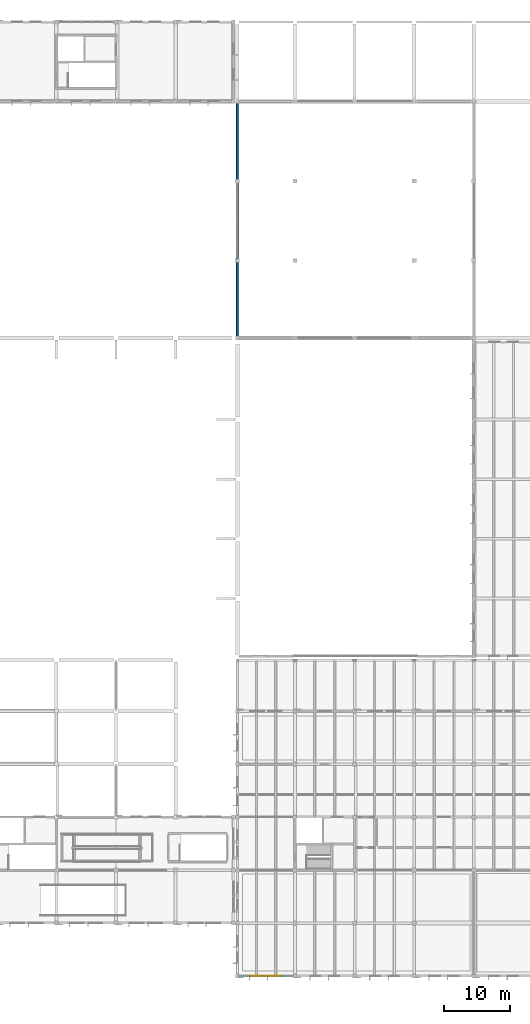
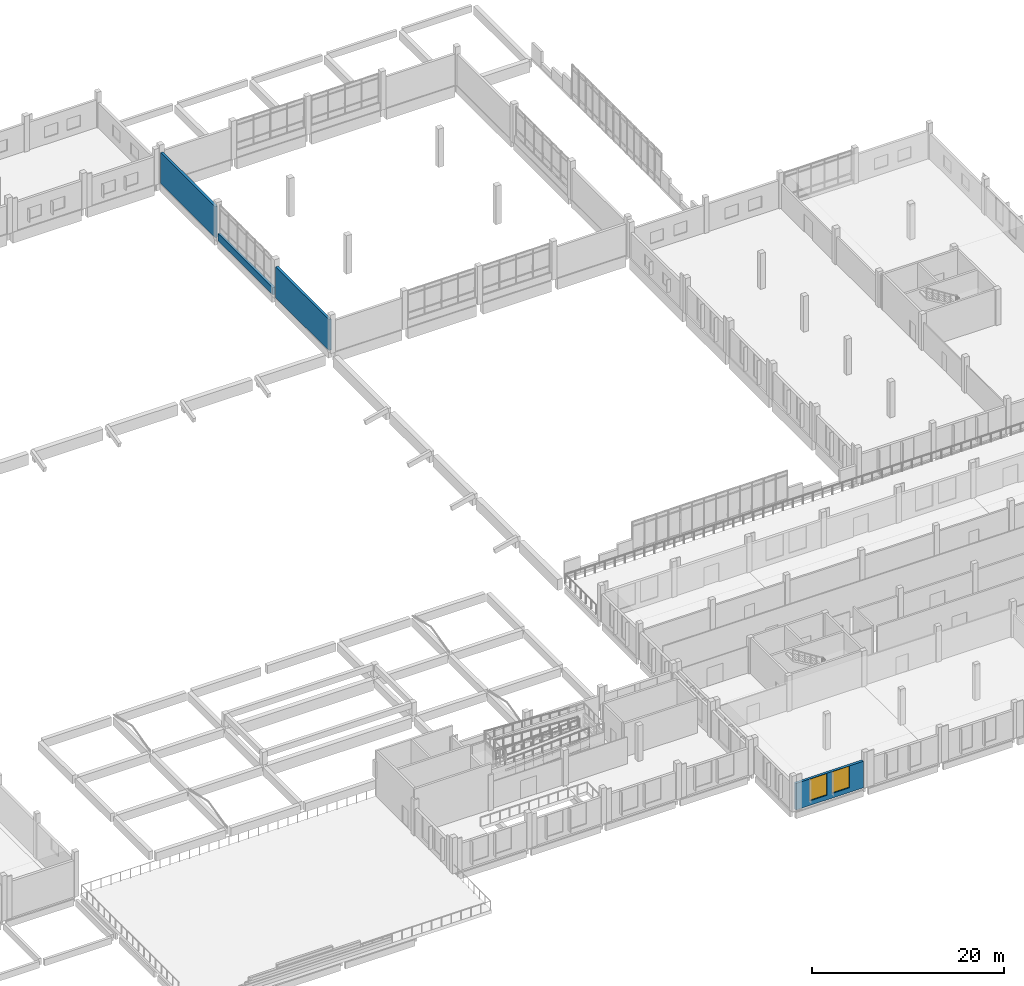
# One storey, part 39 of 63: 4 walls, 2 windows, 2 openings.
"""IFC4 building model written with IfcOpenShell, lengths in metres."""

from ifc_helpers import new_model, si_unit, direction, frame, frame_2d, origin, place, context, subcontext, project, spatial, rectangle, extrude, material, layer, layer_set, type_object, element, fill, save


model = new_model("IFC4")

# Units and contexts
model_context = context("Model", 3, precision=1e-05, world=origin(), true_north=direction((0.0, 1.0)))
body_context = subcontext(model_context, "Body", "Model", "MODEL_VIEW")
ifc_project = project(units=[si_unit("LENGTHUNIT", "METRE"), si_unit("AREAUNIT", "SQUARE_METRE"), si_unit("VOLUMEUNIT", "CUBIC_METRE"), si_unit("PLANEANGLEUNIT", "RADIAN"), si_unit("MASSUNIT", "GRAM", prefix="KILO")], contexts=[model_context])

# Site, building, storey
site_placement = place(None, origin())
site = spatial("IfcSite", under=ifc_project, at=site_placement, CompositionType="ELEMENT")
building_placement = place(site_placement, origin())
building = spatial("IfcBuilding", under=site, at=building_placement, Name="Zacnel Wholesale Market", CompositionType="ELEMENT")
storey_placement = place(building_placement, frame((0.0, 0.0, 11.199951171875)))
storey = spatial("IfcBuildingStorey", under=building, at=storey_placement, Name="L03", CompositionType="ELEMENT", Elevation=11.199951171875)

# Wall, openings, windows
ifc_material_1 = material(Name="Precast concrete C40/50 (Cancun limestone aggregate)", Category="masonry")
ifc_layer = layer(ifc_material_1, 0.300048828125)
ifc_layer_set = layer_set([ifc_layer], Name="Precast concrete C40/50 (Cancun limestone aggregate)")
wall_type = type_object("IfcWallType", Name="WL-EXT-LIME-300", PredefinedType="SOLIDWALL", material=ifc_layer_set)
wall_1_placement = place(storey_placement, frame((144.574951171875, 0.0, 0.0), z_axis=(0.0, 0.0, 1.0), x_axis=(1.0, 0.0, 0.0)))
wall_1 = element("IfcWall", 1, at=wall_1_placement, inside=storey, type_object=wall_type, Name="Exterior wall L03-0377", PredefinedType="SOLIDWALL", context=body_context, shape_type="SweptSolid", body=[
    extrude(rectangle(XDim=8.125, YDim=0.300048828125, at=frame_2d((4.0625, 0.0))), origin(), (0.0, 0.0, 1.0), 3.380126953125),
])
opening_1_placement = place(wall_1_placement, frame((1.657958984375, 0.0, 0.590087890625)))
opening_1 = element("IfcOpeningElement", 2, at=opening_1_placement, cuts=wall_1, Name="Opening W-05", PredefinedType="OPENING", context=body_context, shape_type="SweptSolid", body=[
    extrude(rectangle(XDim=2.10009765625, YDim=2.75, at=frame_2d((1.050048828125, 1.375))), frame((0.0, 0.159912109375, 0.0), z_axis=(0.0, -1.0, 0.0), x_axis=(1.0, 0.0, 0.0)), (0.0, 0.0, 1.0), 0.320068359375),
])
opening_2_placement = place(wall_1_placement, frame((4.366943359375, 0.0, 0.590087890625)))
opening_2 = element("IfcOpeningElement", 3, at=opening_2_placement, cuts=wall_1, Name="Opening W-05", PredefinedType="OPENING", context=body_context, shape_type="SweptSolid", body=[
    extrude(rectangle(XDim=2.10009765625, YDim=2.75, at=frame_2d((1.050048828125, 1.375))), frame((0.0, 0.159912109375, 0.0), z_axis=(0.0, -1.0, 0.0), x_axis=(1.0, 0.0, 0.0)), (0.0, 0.0, 1.0), 0.320068359375),
])
ifc_material_2 = material(Name="Laminated hurricane-impact low-E insulated glass", Category="glass")
window_type = type_object("IfcWindowType", Name="WIN-LAB-2100X2750", PartitioningType="DOUBLE_PANEL_VERTICAL", PredefinedType="WINDOW", material=ifc_material_2)
window_1_placement = place(opening_1_placement, origin())
window_1 = element("IfcWindow", 4, at=window_1_placement, inside=storey, type_object=window_type, Name="Window L03-0385", OverallHeight=2.75, OverallWidth=2.10009765625, PartitioningType="DOUBLE_PANEL_VERTICAL", PredefinedType="WINDOW", context=body_context, shape_type="SweptSolid", body=[
    extrude(rectangle(XDim=2.10009765625, YDim=2.75, at=frame_2d((1.050048828125, 1.375))), frame((0.0, 0.030029296875, 0.0), z_axis=(0.0, -1.0, 0.0), x_axis=(1.0, 0.0, 0.0)), (0.0, 0.0, 1.0), 0.06005859375),
])
fill(opening_1, window_1)
window_2_placement = place(opening_2_placement, origin())
window_2 = element("IfcWindow", 5, at=window_2_placement, inside=storey, type_object=window_type, Name="Window L03-0386", OverallHeight=2.75, OverallWidth=2.10009765625, PartitioningType="DOUBLE_PANEL_VERTICAL", PredefinedType="WINDOW", context=body_context, shape_type="SweptSolid", body=[
    extrude(rectangle(XDim=2.10009765625, YDim=2.75, at=frame_2d((1.050048828125, 1.375))), frame((0.0, 0.030029296875, 0.0), z_axis=(0.0, -1.0, 0.0), x_axis=(1.0, 0.0, 0.0)), (0.0, 0.0, 1.0), 0.06005859375),
])
fill(opening_2, window_2)

# Walls
wall_2_placement = place(storey_placement, frame((144.300048828125, 96.60009765625, 0.0), z_axis=(0.0, 0.0, 1.0), x_axis=(0.0, 1.0, 0.0)))
element("IfcWall", 6, at=wall_2_placement, inside=storey, type_object=wall_type, Name="Crossing drum limestone corner wall W-1", PredefinedType="SOLIDWALL", context=body_context, shape_type="SweptSolid", body=[
    extrude(rectangle(XDim=11.099853515625, YDim=0.300048828125, at=frame_2d((5.5498046875, 0.0))), origin(), (0.0, 0.0, 1.0), 3.949951171875),
])
wall_3_placement = place(storey_placement, frame((144.300048828125, 108.300048828125, 0.0), z_axis=(0.0, 0.0, 1.0), x_axis=(0.0, 1.0, 0.0)))
element("IfcWall", 7, at=wall_3_placement, inside=storey, type_object=wall_type, Name="Crossing drum sill spandrel W-2", PredefinedType="SOLIDWALL", context=body_context, shape_type="SweptSolid", body=[
    extrude(rectangle(XDim=11.39990234375, YDim=0.300048828125, at=frame_2d((5.699951171875, 0.0))), origin(), (0.0, 0.0, 1.0), 0.900146484375),
])
wall_4_placement = place(storey_placement, frame((144.300048828125, 120.300048828125, 0.0), z_axis=(0.0, 0.0, 1.0), x_axis=(0.0, 1.0, 0.0)))
element("IfcWall", 8, at=wall_4_placement, inside=storey, type_object=wall_type, Name="Crossing drum limestone corner wall W-3", PredefinedType="SOLIDWALL", context=body_context, shape_type="SweptSolid", body=[
    extrude(rectangle(XDim=11.39990234375, YDim=0.300048828125, at=frame_2d((5.699951171875, 0.0))), origin(), (0.0, 0.0, 1.0), 3.949951171875),
])

save(model, "model.ifc")
